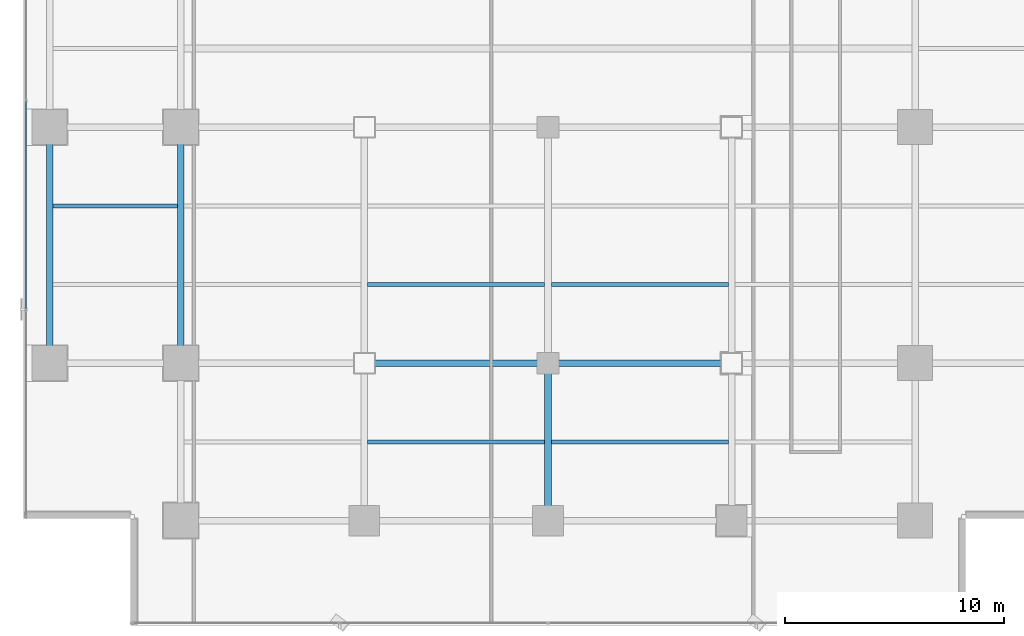
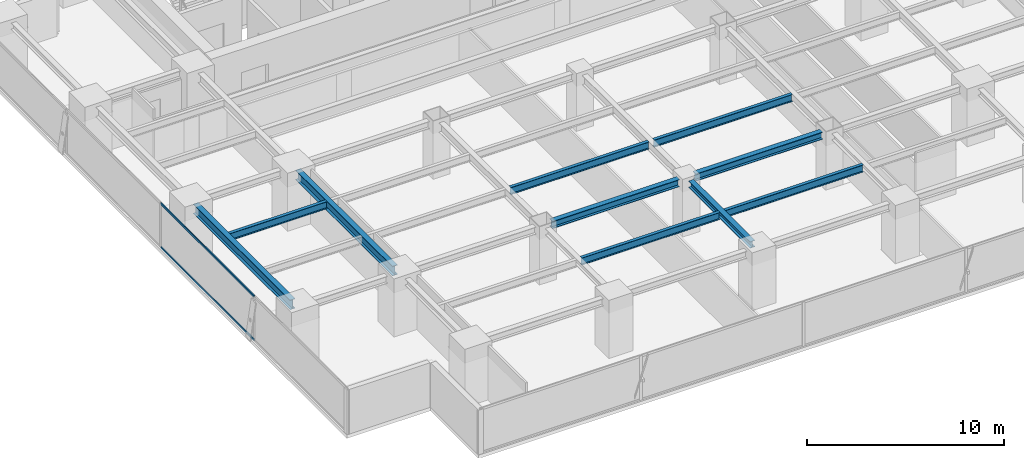
# One storey, part 6 of 27: 10 beams, 2 members, 1 element without a shape of its own.
"""IFC4 building model written with IfcOpenShell, lengths in metres."""

from ifc_helpers import new_model, si_unit, direction, frame, origin, origin_2d, place, context, subcontext, project, spatial, hollow_rectangle, i_section, extrude, source, transform, mapped, material, layer, layer_set, material_profile, profile_set, type_object, element, aggregate, save


model = new_model("IFC4")

# Units and contexts
model_context = context("Model", 3, precision=1e-05, world=origin(), true_north=direction((0.0, 1.0)))
body_context = subcontext(model_context, "Body", "Model", "MODEL_VIEW")
ifc_project = project(units=[si_unit("LENGTHUNIT", "METRE"), si_unit("AREAUNIT", "SQUARE_METRE"), si_unit("VOLUMEUNIT", "CUBIC_METRE"), si_unit("PLANEANGLEUNIT", "RADIAN"), si_unit("MASSUNIT", "GRAM", prefix="KILO")], contexts=[model_context])

# Site, building, storey
site_placement = place(None, origin())
site = spatial("IfcSite", under=ifc_project, at=site_placement, CompositionType="ELEMENT")
building_placement = place(site_placement, origin())
building = spatial("IfcBuilding", under=site, at=building_placement, Name="Sumidabori Civic Tower", CompositionType="ELEMENT")
storey_placement = place(building_placement, frame((0.0, 0.0, 138.800048828125)))
storey = spatial("IfcBuildingStorey", under=building, at=storey_placement, Name="L35", CompositionType="ELEMENT", Elevation=138.800048828125)

# Beams
ifc_material_1 = material(Name="Steel SN490", Category="steel")
ifc_material_profile_1 = material_profile(ifc_material_1, i_section(OverallWidth=0.300048828125, OverallDepth=0.39990234375, WebThickness=0.013427734375, FlangeThickness=0.02392578125, at=origin_2d()), Name="HE 400 B")
ifc_profile_set_1 = profile_set([ifc_material_profile_1], Name="Steel SN490")
beam_type_1 = type_object("IfcBeamType", Name="BM-GIRD-400", PredefinedType="BEAM", material=ifc_profile_set_1)
shared_shape_1 = source(origin(), body_context, "Body", "SweptSolid", [
    extrude(i_section(OverallWidth=0.300048828125, OverallDepth=0.39990234375, WebThickness=0.013427734375, FlangeThickness=0.02392578125, at=origin_2d()), origin(), (0.0, 0.0, 1.0), 6.239990234375),
])
beam_1_placement = place(storey_placement, frame((0.0, -17.52001953125, 3.179931640625), z_axis=(0.0, 1.0, 0.0), x_axis=(-1.0, 0.0, 0.0)))
element("IfcBeam", 1, at=beam_1_placement, inside=storey, type_object=beam_type_1, Name="Primary Girder L35 GY-28", PredefinedType="BEAM", context=body_context, shape_type="MappedRepresentation", body=[
    mapped(shared_shape_1, transform((0.0, 0.0, 0.0), x_axis=(1.0, 0.0, 0.0), y_axis=(0.0, 1.0, 0.0), z_axis=(0.0, 0.0, 1.0), scale=1.0)),
])
ifc_material_profile_2 = material_profile(ifc_material_1, i_section(OverallWidth=0.300048828125, OverallDepth=0.60009765625, WebThickness=0.015380859375, FlangeThickness=0.030029296875, at=origin_2d()), Name="HE 600 B")
ifc_profile_set_2 = profile_set([ifc_material_profile_2], Name="Steel SN490")
beam_type_2 = type_object("IfcBeamType", Name="BM-GIRD-600", PredefinedType="BEAM", material=ifc_profile_set_2)
shared_shape_2 = source(origin(), body_context, "Body", "SweptSolid", [
    extrude(i_section(OverallWidth=0.300048828125, OverallDepth=0.60009765625, WebThickness=0.015380859375, FlangeThickness=0.030029296875, at=origin_2d()), origin(), (0.0, 0.0, 1.0), 9.840087890625),
])
for number, where, z_axis, x_axis, name in (
    (2, (-22.800048828125, -10.320068359375, 3.079833984375), (0.0, 1.0, 0.0), (-1.0, 0.0, 0.0), "Primary Girder L35 GY-19"),
    (3, (-16.800048828125, -10.320068359375, 3.079833984375), (0.0, 1.0, 0.0), (-1.0, 0.0, 0.0), "Primary Girder L35 GY-23"),
):
    element("IfcBeam", number, at=place(storey_placement, frame(where, z_axis=z_axis, x_axis=x_axis)), inside=storey, type_object=beam_type_2, Name=name, PredefinedType="BEAM", context=body_context, shape_type="MappedRepresentation", body=[
        mapped(shared_shape_2, transform((0.0, 0.0, 0.0), x_axis=(1.0, 0.0, 0.0), y_axis=(0.0, 1.0, 0.0), z_axis=(0.0, 0.0, 1.0), scale=1.0)),
    ])
ifc_material_profile_3 = material_profile(ifc_material_1, i_section(OverallWidth=0.18994140625, OverallDepth=0.449951171875, WebThickness=0.009521484375, FlangeThickness=0.0146484375, at=origin_2d()), Name="IPE 450")
ifc_profile_set_3 = profile_set([ifc_material_profile_3], Name="Steel SN490")
beam_type_3 = type_object("IfcBeamType", Name="BM-JST-450", PredefinedType="JOIST", material=ifc_profile_set_3)
shared_shape_3 = source(origin(), body_context, "Body", "SweptSolid", [
    extrude(i_section(OverallWidth=0.18994140625, OverallDepth=0.449951171875, WebThickness=0.009521484375, FlangeThickness=0.0146484375, at=origin_2d()), origin(), (0.0, 0.0, 1.0), 5.699951171875),
])
beam_2_placement = place(storey_placement, frame((-22.64990234375, -3.60009765625, 3.155029296875), z_axis=(1.0, 0.0, 0.0), x_axis=(0.0, 1.0, 0.0)))
element("IfcBeam", 4, at=beam_2_placement, inside=storey, type_object=beam_type_3, Name="Outer Bay Floor Joist L35 JSTO-41", PredefinedType="JOIST", context=body_context, shape_type="MappedRepresentation", body=[
    mapped(shared_shape_3, transform((0.0, 0.0, 0.0), x_axis=(1.0, 0.0, 0.0), y_axis=(0.0, 1.0, 0.0), z_axis=(0.0, 0.0, 1.0), scale=1.0)),
])
shared_shape_4 = source(origin(), body_context, "Body", "SweptSolid", [
    extrude(i_section(OverallWidth=0.18994140625, OverallDepth=0.449951171875, WebThickness=0.009521484375, FlangeThickness=0.0146484375, at=origin_2d()), origin(), (0.0, 0.0, 1.0), 8.10009765625),
])
for number, where, z_axis, x_axis, name in (
    (5, (-8.25, -14.39990234375, 3.155029296875), (1.0, 0.0, 0.0), (0.0, 1.0, 0.0), "South Bay Floor Joist L35 JSTS-50"),
    (6, (0.14990234375, -14.39990234375, 3.155029296875), (1.0, 0.0, 0.0), (0.0, 1.0, 0.0), "South Bay Floor Joist L35 JSTS-51"),
    (7, (-8.25, -7.199951171875, 3.155029296875), (1.0, 0.0, 0.0), (0.0, 1.0, 0.0), "South Bay Floor Joist L35 JSTS-54"),
    (8, (0.14990234375, -7.199951171875, 3.155029296875), (1.0, 0.0, 0.0), (0.0, 1.0, 0.0), "South Bay Floor Joist L35 JSTS-55"),
):
    element("IfcBeam", number, at=place(storey_placement, frame(where, z_axis=z_axis, x_axis=x_axis)), inside=storey, type_object=beam_type_3, Name=name, PredefinedType="JOIST", context=body_context, shape_type="MappedRepresentation", body=[
        mapped(shared_shape_4, transform((0.0, 0.0, 0.0), x_axis=(1.0, 0.0, 0.0), y_axis=(0.0, 1.0, 0.0), z_axis=(0.0, 0.0, 1.0), scale=1.0)),
    ])
ifc_material_profile_4 = material_profile(ifc_material_1, i_section(OverallWidth=0.300048828125, OverallDepth=0.449951171875, WebThickness=0.013916015625, FlangeThickness=0.02587890625, at=origin_2d()), Name="HE 450 B")
ifc_profile_set_4 = profile_set([ifc_material_profile_4], Name="Steel SN490")
beam_type_4 = type_object("IfcBeamType", Name="BM-GIRD-450", PredefinedType="BEAM", material=ifc_profile_set_4)
shared_shape_5 = source(origin(), body_context, "Body", "SweptSolid", [
    extrude(i_section(OverallWidth=0.300048828125, OverallDepth=0.449951171875, WebThickness=0.013916015625, FlangeThickness=0.02587890625, at=origin_2d()), origin(), (0.0, 0.0, 1.0), 7.43994140625),
])
for number, where, z_axis, x_axis, name in (
    (9, (-7.919921875, -10.800048828125, 3.155029296875), (1.0, 0.0, 0.0), (0.0, 1.0, 0.0), "Primary Girder L35 GX-07"),
    (10, (0.47998046875, -10.800048828125, 3.155029296875), (1.0, 0.0, 0.0), (0.0, 1.0, 0.0), "Primary Girder L35 GX-08"),
):
    element("IfcBeam", number, at=place(storey_placement, frame(where, z_axis=z_axis, x_axis=x_axis)), inside=storey, type_object=beam_type_4, Name=name, PredefinedType="BEAM", context=body_context, shape_type="MappedRepresentation", body=[
        mapped(shared_shape_5, transform((0.0, 0.0, 0.0), x_axis=(1.0, 0.0, 0.0), y_axis=(0.0, 1.0, 0.0), z_axis=(0.0, 0.0, 1.0), scale=1.0)),
    ])

# Curtain wall, members
ifc_material_2 = material(Name="Anodised Bronze Aluminium AW-6063-T6", Category="aluminium")
ifc_layer = layer(ifc_material_2, 0.179931640625, Name="Anodised Bronze Aluminium AW-6063-T6")
ifc_layer_set = layer_set([ifc_layer], Name="Anodised Bronze Aluminium AW-6063-T6")
curtain_wall_type = type_object("IfcCurtainWallType", Name="CW-SYS-3", PredefinedType="NOTDEFINED", material=ifc_layer_set)
curtain_wall_placement = place(storey_placement, origin())
curtain_wall = element("IfcCurtainWall", 11, at=curtain_wall_placement, inside=storey, type_object=curtain_wall_type, Name="Curtain Wall CW:L35:R10", PredefinedType="NOTDEFINED")
ifc_material_profile_5 = material_profile(ifc_material_2, hollow_rectangle(XDim=0.06005859375, YDim=0.1298828125, WallThickness=0.0048828125, at=origin_2d()), Name="ALU TRANSOM 130x60")
ifc_profile_set_5 = profile_set([ifc_material_profile_5], Name="Anodised Bronze Aluminium AW-6063-T6")
member_type = type_object("IfcMemberType", Name="CW-TRN-130", PredefinedType="USERDEFINED", material=ifc_profile_set_5)
shared_shape_6 = source(origin(), body_context, "Body", "SweptSolid", [
    extrude(hollow_rectangle(XDim=0.06005859375, YDim=0.1298828125, WallThickness=0.0048828125, at=origin_2d()), origin(), (0.0, 0.0, 1.0), 9.469970703125),
])
member_1_placement = place(storey_placement, frame((-23.8798828125, 1.16748046875, 0.030029296875), z_axis=(0.0, -1.0, 0.0), x_axis=(1.0, 0.0, 0.0)))
member_1 = element("IfcMember", 12, at=member_1_placement, type_object=member_type, Name="CW-3 transom 3.1", ObjectType="TRANSOM", PredefinedType="USERDEFINED", context=body_context, shape_type="MappedRepresentation", body=[
    mapped(shared_shape_6, transform((0.0, 0.0, 0.0), x_axis=(1.0, 0.0, 0.0), y_axis=(0.0, 1.0, 0.0), z_axis=(0.0, 0.0, 1.0), scale=1.0)),
])
member_2_placement = place(storey_placement, frame((-23.8798828125, 1.16748046875, 2.72998046875), z_axis=(0.0, -1.0, 0.0), x_axis=(1.0, 0.0, 0.0)))
member_2 = element("IfcMember", 13, at=member_2_placement, type_object=member_type, Name="CW-3 transom 3.2", ObjectType="TRANSOM", PredefinedType="USERDEFINED", context=body_context, shape_type="MappedRepresentation", body=[
    mapped(shared_shape_6, transform((0.0, 0.0, 0.0), x_axis=(1.0, 0.0, 0.0), y_axis=(0.0, 1.0, 0.0), z_axis=(0.0, 0.0, 1.0), scale=1.0)),
])
aggregate(curtain_wall, [member_1, member_2])

save(model, "model.ifc")
